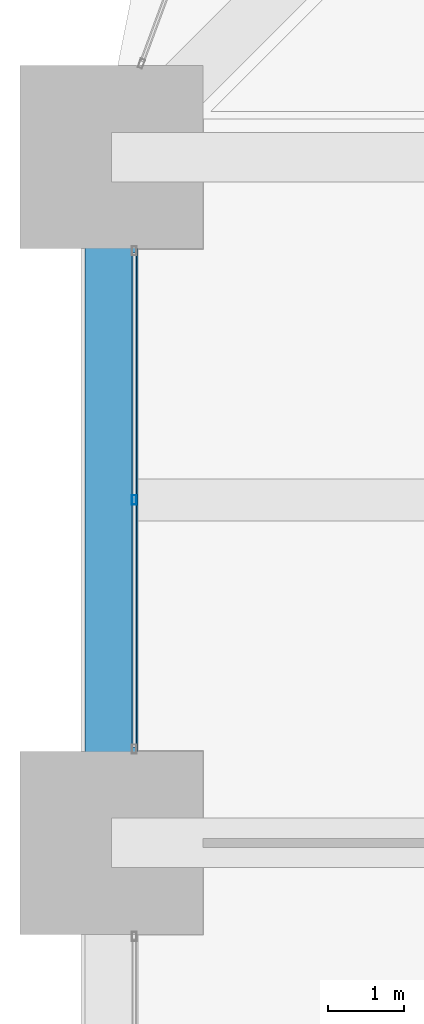
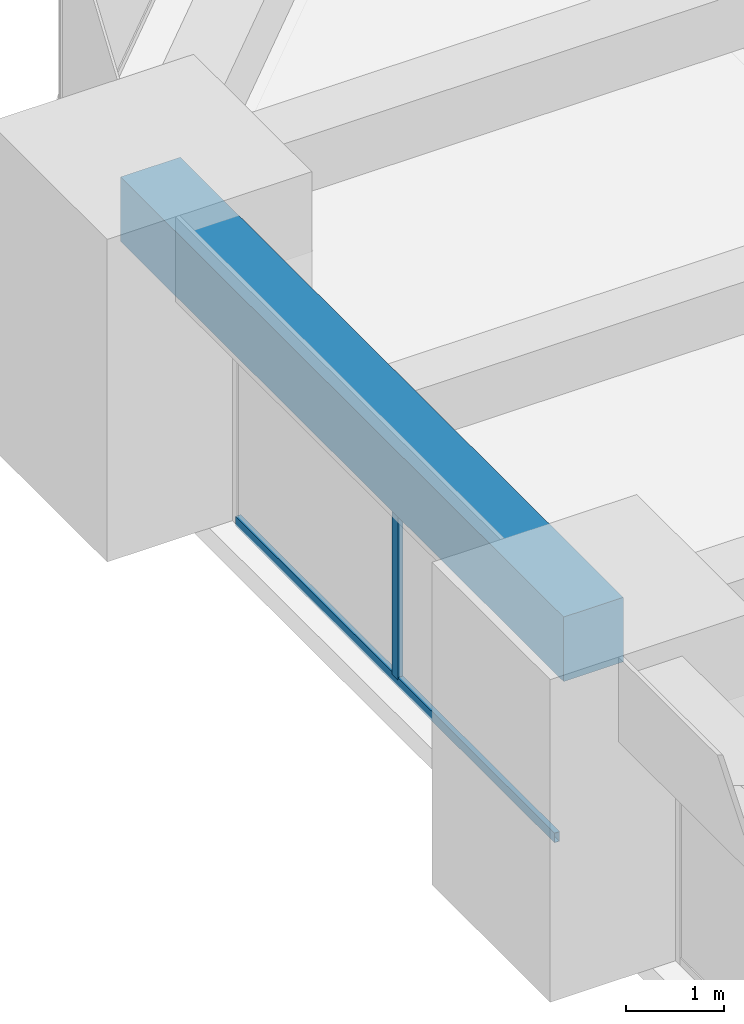
# One storey, part 16 of 45: 2 members, 1 beam, 1 element without a shape of its own.
"""IFC4 building model written with IfcOpenShell, lengths in metres."""

import ifcopenshell
import ifcopenshell.guid

model = None  # the IFC model being written
_history = None  # IfcOwnerHistory: only IFC2X3 demands one
_inside = {}  # id of a spatial element -> (the spatial element, [elements in it])
_under = {}  # id of a project, library or spatial element -> (it, [spatial elements below it])
_declared = {}  # id of a project -> (the project, [libraries it declares])
_typed = {}  # id of a type object -> (the type object, [elements of that type])
_made_of = {}  # id of a material, layer set ... -> (it, [elements and type objects made of it])


def new_model(schema):
    """Start an empty IFC model of exactly this schema.

    Asked for "IFC4X3", IfcOpenShell would pick the latest addendum, in which some entities
    have other attributes; the version numbers below select the first issue.
    IFC2X3 requires an IfcOwnerHistory on every rooted entity: one is made here for all.
    """
    global model, _history
    if schema == "IFC4X3":
        model = ifcopenshell.file(schema_version=(4, 3, 0, 0))
    else:
        model = ifcopenshell.file(schema=schema)
    _inside.clear()
    _under.clear()
    _declared.clear()
    _typed.clear()
    _made_of.clear()
    _history = None
    if model.schema == "IFC2X3":
        org = make("IfcOrganization", Name="unknown")
        user = make(
            "IfcPersonAndOrganization",
            ThePerson=make("IfcPerson", FamilyName="unknown"),
            TheOrganization=org,
        )
        app = make(
            "IfcApplication",
            ApplicationDeveloper=org,
            Version="unknown",
            ApplicationFullName="unknown",
            ApplicationIdentifier="unknown",
        )
        _history = make(
            "IfcOwnerHistory",
            OwningUser=user,
            OwningApplication=app,
            ChangeAction="ADDED",
            CreationDate=0,
        )
    return model


def make(cls, **values):
    """One entity of the class cls with the attributes given. An attribute that is None is left unset."""
    return model.create_entity(
        cls, **{name: value for name, value in values.items() if value is not None}
    )


def rooted(cls, **values):
    """An entity with a GlobalId (a new one), such as an element, a storey or a relation."""
    return make(cls, GlobalId=ifcopenshell.guid.new(), OwnerHistory=_history, **values)


def si_unit(unit_type, name, prefix=None):
    """IfcSIUnit, for example si_unit("LENGTHUNIT", "METRE", prefix="MILLI")."""
    return make("IfcSIUnit", UnitType=unit_type, Prefix=prefix, Name=name)


def assignment(units):
    """IfcUnitAssignment: the units of a project."""
    return None if units is None else make("IfcUnitAssignment", Units=units)


def point(xyz):
    """IfcCartesianPoint."""
    return None if xyz is None else make("IfcCartesianPoint", Coordinates=xyz)


def direction(xyz):
    """IfcDirection."""
    return None if xyz is None else make("IfcDirection", DirectionRatios=xyz)


def frame(location, z_axis=None, x_axis=None):
    """IfcAxis2Placement3D, a coordinate frame: its origin and axes. An axis left out is left unset."""
    return make(
        "IfcAxis2Placement3D",
        Location=point(location),
        Axis=direction(z_axis),
        RefDirection=direction(x_axis),
    )


def frame_2d(location, x_axis=None):
    """IfcAxis2Placement2D, a coordinate frame in the plane: its origin and x axis."""
    return make(
        "IfcAxis2Placement2D", Location=point(location), RefDirection=direction(x_axis)
    )


def origin():
    """The frame at (0, 0, 0) with its axes left unset."""
    return frame((0.0, 0.0, 0.0))


def origin_2d():
    """The frame at (0, 0) in the plane with its x axis left unset."""
    return frame_2d((0.0, 0.0))


def place(relative_to, where):
    """IfcLocalPlacement: puts the frame where relative to a parent placement (None: the world)."""
    return make(
        "IfcLocalPlacement", PlacementRelTo=relative_to, RelativePlacement=where
    )


def context(
    kind, dimensions, precision=None, world=None, true_north=None, identifier=None
):
    """IfcGeometricRepresentationContext, for example the 3D "Model" context."""
    return make(
        "IfcGeometricRepresentationContext",
        ContextIdentifier=identifier,
        ContextType=kind,
        CoordinateSpaceDimension=dimensions,
        Precision=precision,
        WorldCoordinateSystem=world,
        TrueNorth=true_north,
    )


def subcontext(parent, identifier, kind, view, scale=None):
    """IfcGeometricRepresentationSubContext, for example "Body" below "Model"."""
    return make(
        "IfcGeometricRepresentationSubContext",
        ContextIdentifier=identifier,
        ContextType=kind,
        ParentContext=parent,
        TargetScale=scale,
        TargetView=view,
    )


def project(units=None, contexts=None):
    """IfcProject with its units and contexts."""
    return rooted(
        "IfcProject",
        Name="project",
        RepresentationContexts=contexts,
        UnitsInContext=assignment(units),
    )


def spatial(cls, under=None, at=None, **own):
    """A site, building, storey or space (cls), placed at a placement, below another one or the project."""
    s = rooted(cls, ObjectPlacement=at, **own)
    if under is not None:
        _under.setdefault(under.id(), (under, []))[1].append(s)
    return s


def profile(cls, at=None, kind="AREA", **sizes):
    """A parametric profile (cls). Its sizes go by their IFC names, for example OverallWidth=200.0."""
    return make(cls, ProfileType=kind, Position=at, **sizes)


def rectangle(**sizes):
    """IfcRectangleProfileDef."""
    return profile("IfcRectangleProfileDef", **sizes)


def hollow_rectangle(**sizes):
    """IfcRectangleHollowProfileDef."""
    return profile("IfcRectangleHollowProfileDef", **sizes)


def extrude(swept, where, along, depth):
    """IfcExtrudedAreaSolid: the profile swept, set in the frame where, extruded along a direction by depth."""
    return make(
        "IfcExtrudedAreaSolid",
        SweptArea=swept,
        Position=where,
        ExtrudedDirection=direction(along),
        Depth=depth,
    )


def shape(context_of_items, identifier, shape_type, items):
    """IfcShapeRepresentation: the items that make up one representation, for example the "Body"."""
    return make(
        "IfcShapeRepresentation",
        ContextOfItems=context_of_items,
        RepresentationIdentifier=identifier,
        RepresentationType=shape_type,
        Items=items,
    )


def material(Name=None, Category=None):
    """IfcMaterial."""
    return make("IfcMaterial", Name=Name, Category=Category)


def material_profile(
    of_material, cross_section, Name=None, Category=None, Priority=None
):
    """IfcMaterialProfile: a cross section and its material."""
    return make(
        "IfcMaterialProfile",
        Name=Name,
        Material=of_material,
        Profile=cross_section,
        Priority=Priority,
        Category=Category,
    )


def profile_set(profiles, Name=None, composite=None):
    """IfcMaterialProfileSet."""
    return make(
        "IfcMaterialProfileSet",
        Name=Name,
        MaterialProfiles=profiles,
        CompositeProfile=composite,
    )


def made_of(thing, what):
    """Note that an element or type object is made of a material, layer set ...; save() writes the relation."""
    if what is not None:
        _made_of.setdefault(what.id(), (what, []))[1].append(thing)
    return thing


def type_object(cls, material=None, **own):
    """A type object (cls), such as IfcWallType, which elements share."""
    return made_of(rooted(cls, **own), material)


def element(
    cls,
    number,
    at=None,
    inside=None,
    cuts=None,
    type_object=None,
    material=None,
    context=None,
    identifier="Body",
    shape_type=None,
    held_by="IfcProductDefinitionShape",
    body=None,
    shapes=None,
    **own,
):
    """One element of the class cls, such as IfcWall. Its Tag is "e" and its number.

    at: its placement. inside: the storey or other place that contains it. cuts: it is an
    opening in that element (IfcRelVoidsElement). A single representation is given by context,
    identifier, shape_type and body (its items); several are given by shapes. held_by: the class
    of the entity that holds the representations. save() writes the other relations.
    """
    e = rooted(cls, Tag="e%d" % number, ObjectPlacement=at, **own)
    if body is not None:
        shapes = [shape(context, identifier, shape_type, body)]
    if shapes is not None:
        e.Representation = make(held_by, Representations=shapes)
    if inside is not None:
        _inside.setdefault(inside.id(), (inside, []))[1].append(e)
    if cuts is not None:
        rooted(
            "IfcRelVoidsElement", RelatingBuildingElement=cuts, RelatedOpeningElement=e
        )
    if type_object is not None:
        _typed.setdefault(type_object.id(), (type_object, []))[1].append(e)
    return made_of(e, material)


def aggregate(whole, parts):
    """IfcRelAggregates: a whole, such as a stair, and the parts it consists of."""
    return rooted("IfcRelAggregates", RelatingObject=whole, RelatedObjects=parts)


def save(model, path):
    """Write the relations noted so far, then the file.

    IfcRelAggregates (storeys below a building ...), IfcRelContainedInSpatialStructure (elements
    in a storey), IfcRelDefinesByType, IfcRelAssociatesMaterial and IfcRelDeclares: one each for
    every whole, place, type object, material and project.
    """
    for whole, parts in _under.values():
        aggregate(whole, parts)
    for where, things in _inside.values():
        rooted(
            "IfcRelContainedInSpatialStructure",
            RelatedElements=things,
            RelatingStructure=where,
        )
    for kind, things in _typed.values():
        rooted("IfcRelDefinesByType", RelatedObjects=things, RelatingType=kind)
    for what, things in _made_of.values():
        rooted("IfcRelAssociatesMaterial", RelatedObjects=things, RelatingMaterial=what)
    for by, libraries in _declared.values():
        rooted("IfcRelDeclares", RelatingContext=by, RelatedDefinitions=libraries)
    model.write(path)


model = new_model("IFC4")

# Units and contexts
model_context = context("Model", 3, precision=1e-05, world=origin(), true_north=direction((0.0, 1.0)))
body_context = subcontext(model_context, "Body", "Model", "MODEL_VIEW")
ifc_project = project(units=[si_unit("LENGTHUNIT", "METRE"), si_unit("AREAUNIT", "SQUARE_METRE"), si_unit("VOLUMEUNIT", "CUBIC_METRE"), si_unit("PLANEANGLEUNIT", "RADIAN"), si_unit("MASSUNIT", "GRAM", prefix="KILO")], contexts=[model_context])

# Site, building, storey
site_placement = place(None, origin())
site = spatial("IfcSite", under=ifc_project, at=site_placement, CompositionType="ELEMENT")
building_placement = place(site_placement, origin())
building = spatial("IfcBuilding", under=site, at=building_placement, Name="Zorevar Civic Tower", CompositionType="ELEMENT")
storey_placement = place(building_placement, frame((0.0, 0.0, 247.39990234375)))
storey = spatial("IfcBuildingStorey", under=building, at=storey_placement, Name="L60", CompositionType="ELEMENT", Elevation=247.39990234375)

# Curtain wall, members
ifc_material_1 = material(Name="Dark grey solar-control glass in black aluminium frame", Category="aluminium")
curtain_wall_type = type_object("IfcCurtainWallType", Name="Curtain wall CW5 top zone", PredefinedType="NOTDEFINED", material=ifc_material_1)
curtain_wall_placement = place(storey_placement, origin())
curtain_wall = element("IfcCurtainWall", 1, at=curtain_wall_placement, inside=storey, type_object=curtain_wall_type, Name="CW5 L60", PredefinedType="NOTDEFINED")
ifc_material_2 = material(Name="Aluminium, black anodised", Category="aluminium")
ifc_material_profile_1 = material_profile(ifc_material_2, hollow_rectangle(XDim=0.06005859375, YDim=0.1201171875, WallThickness=0.0029296875, at=origin_2d()), Name="AL 120x60x3")
ifc_profile_set_1 = profile_set([ifc_material_profile_1], Name="Aluminium, black anodised")
member_type_1 = type_object("IfcMemberType", Name="CW5 mullion AL 120x60x3", PredefinedType="MULLION", material=ifc_profile_set_1)
member_1_placement = place(storey_placement, frame((9.300048828125, 31.5, 0.06005859375), z_axis=(0.0, 0.0, 1.0), x_axis=(-1.0, 0.0, 0.0)))
member_1 = element("IfcMember", 2, at=member_1_placement, type_object=member_type_1, Name="CW5 mullion 2", PredefinedType="MULLION", context=body_context, shape_type="SweptSolid", body=[
    extrude(hollow_rectangle(XDim=0.06005859375, YDim=0.1201171875, WallThickness=0.0029296875, at=origin_2d()), origin(), (0.0, 0.0, 1.0), 2.89013671875),
])
ifc_material_3 = material(Name="Aluminium, black anodised", Category="aluminium")
ifc_material_profile_2 = material_profile(ifc_material_3, hollow_rectangle(XDim=0.06005859375, YDim=0.1201171875, WallThickness=0.0029296875, at=origin_2d()), Name="AL 120x60x3")
ifc_profile_set_2 = profile_set([ifc_material_profile_2], Name="Aluminium, black anodised")
member_type_2 = type_object("IfcMemberType", Name="CW5 transom AL 120x60x3", PredefinedType="USERDEFINED", material=ifc_profile_set_2)
member_2_placement = place(storey_placement, frame((9.300048828125, 28.260009765625, 0.030029296875), z_axis=(0.0, 1.0, 0.0), x_axis=(-1.0, 0.0, 0.0)))
member_2 = element("IfcMember", 3, at=member_2_placement, type_object=member_type_2, Name="CW5 sill transom", ObjectType="TRANSOM", PredefinedType="USERDEFINED", context=body_context, shape_type="SweptSolid", body=[
    extrude(hollow_rectangle(XDim=0.06005859375, YDim=0.1201171875, WallThickness=0.0029296875, at=origin_2d()), origin(), (0.0, 0.0, 1.0), 6.47998046875),
])
aggregate(curtain_wall, [member_1, member_2])

# Beam
ifc_material_4 = material(Name="Concrete C50/60", Category="concrete")
ifc_material_profile_3 = material_profile(ifc_material_4, rectangle(XDim=0.699951171875, YDim=0.800048828125, at=origin_2d()), Name="RC 700x800")
ifc_profile_set_3 = profile_set([ifc_material_profile_3], Name="Concrete C50/60")
beam_type = type_object("IfcBeamType", Name="Edge beam RC 700x800", PredefinedType="SPANDREL", material=ifc_profile_set_3)
beam_placement = place(storey_placement, frame((9.0, 27.0, 3.35009765625), z_axis=(0.0, 1.0, 0.0), x_axis=(-1.0, 0.0, 0.0)))
element("IfcBeam", 4, at=beam_placement, inside=storey, type_object=beam_type, Name="Edge beam L61", PredefinedType="SPANDREL", context=body_context, shape_type="SweptSolid", body=[
    extrude(rectangle(XDim=0.699951171875, YDim=0.800048828125, at=origin_2d()), origin(), (0.0, 0.0, 1.0), 9.0),
])

save(model, "model.ifc")
